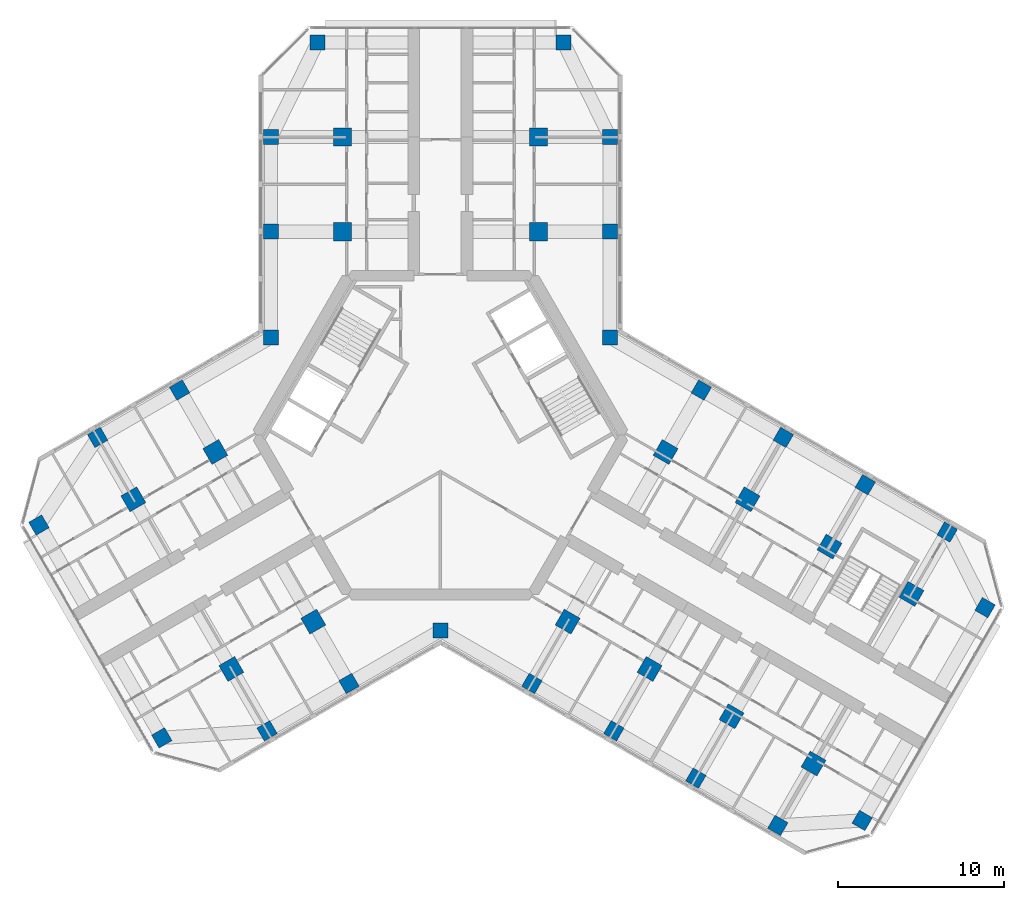
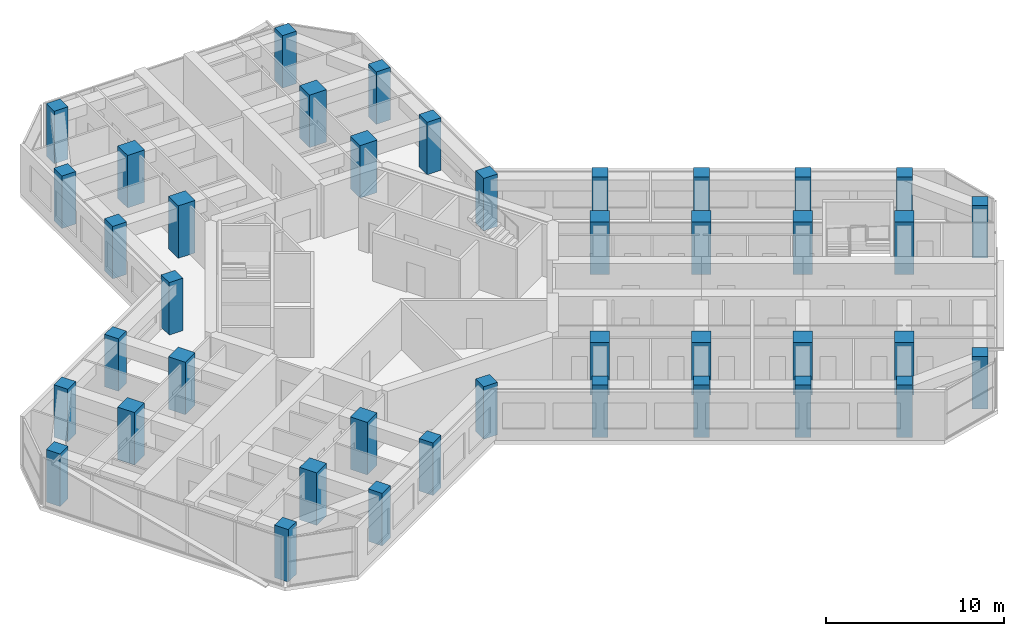
# One storey, part 1 of 16: 41 columns.
"""IFC4 building model written with IfcOpenShell, lengths in metres."""

from ifc_helpers import new_model, si_unit, direction, frame, origin, origin_2d, place, context, subcontext, project, spatial, rectangle, extrude, material, material_profile, profile_set, type_object, element, save


model = new_model("IFC4")

# Units and contexts
model_context = context("Model", 3, precision=1e-05, world=origin(), true_north=direction((0.0, 1.0)))
body_context = subcontext(model_context, "Body", "Model", "MODEL_VIEW")
ifc_project = project(units=[si_unit("LENGTHUNIT", "METRE"), si_unit("AREAUNIT", "SQUARE_METRE"), si_unit("VOLUMEUNIT", "CUBIC_METRE"), si_unit("PLANEANGLEUNIT", "RADIAN"), si_unit("MASSUNIT", "GRAM", prefix="KILO")], contexts=[model_context])

# Site, building, storey
site_placement = place(None, origin())
site = spatial("IfcSite", under=ifc_project, at=site_placement, CompositionType="ELEMENT")
building_placement = place(site_placement, origin())
building = spatial("IfcBuilding", under=site, at=building_placement, Name="Kosmar Iwan School Tower", CompositionType="ELEMENT")
storey_placement = place(building_placement, frame((0.0, 0.0, 211.800048828125)))
storey = spatial("IfcBuildingStorey", under=building, at=storey_placement, Name="L53", CompositionType="ELEMENT", Elevation=211.800048828125)

# Columns
ifc_material_1 = material(Name="Concrete C50/60", Category="concrete")
ifc_material_profile_1 = material_profile(ifc_material_1, rectangle(XDim=0.89990234375, YDim=0.89990234375, at=origin_2d()), Name="RC 900x900 + HD 400x347")
ifc_profile_set_1 = profile_set([ifc_material_profile_1], Name="Concrete C50/60")
column_type_1 = type_object("IfcColumnType", Name="Composite column 900x900 HD 400x347", PredefinedType="COLUMN", material=ifc_profile_set_1)
for number, where, z_axis, x_axis, name in (
    (1, (-10.199951171875, 12.25, 0.0), (0.0, 0.0, 1.0), (0.0, 1.0, 0.0), "Column AL1 L53"),
    (2, (-10.199951171875, 17.949951171875, 0.0), (0.0, 0.0, 1.0), (0.0, 1.0, 0.0), "Column AL2 L53"),
    (3, (-7.39990234375, 23.64990234375, 0.0), (0.0, 0.0, 1.0), (0.0, 1.0, 0.0), "Column ALTIP L53"),
    (4, (10.199951171875, 12.25, 0.0), (0.0, 0.0, 1.0), (0.0, 1.0, 0.0), "Column AR1 L53"),
    (5, (10.199951171875, 17.949951171875, 0.0), (0.0, 0.0, 1.0), (0.0, 1.0, 0.0), "Column AR2 L53"),
    (6, (7.39990234375, 23.64990234375, 0.0), (0.0, 0.0, 1.0), (0.0, 1.0, 0.0), "Column ARTIP L53"),
    (7, (-5.5087890625, -14.95849609375, 0.0), (0.0, 0.0, 1.0), (-0.866025403784, -0.5, 0.0), "Column BL1 L53"),
    (8, (-10.445068359375, -17.808349609375, 0.0), (0.0, 0.0, 1.0), (-0.866025403784, -0.5, 0.0), "Column BL2 L53"),
    (9, (-16.781494140625, -18.233642578125, 0.0), (0.0, 0.0, 1.0), (-0.866025403784, -0.5, 0.0), "Column BLTIP L53"),
    (10, (-15.708740234375, 2.70849609375, 0.0), (0.0, 0.0, 1.0), (-0.866025403784, -0.5, 0.0), "Column BR1 L53"),
    (11, (-20.645263671875, -0.1416015625, 0.0), (0.0, 0.0, 1.0), (-0.866025403784, -0.5, 0.0), "Column BR2 L53"),
    (12, (-24.181396484375, -5.41650390625, 0.0), (0.0, 0.0, 1.0), (-0.866025403784, -0.5, 0.0), "Column BRTIP L53"),
    (13, (15.708740234375, 2.70849609375, 0.0), (0.0, 0.0, 1.0), (0.866025403784, -0.5, 0.0), "Column CL1 L53"),
    (14, (20.645263671875, -0.1416015625, 0.0), (0.0, 0.0, 1.0), (0.866025403784, -0.5, 0.0), "Column CL2 L53"),
    (15, (25.58154296875, -2.991455078125, 0.0), (0.0, 0.0, 1.0), (0.866025403784, -0.5, 0.0), "Column CL3 L53"),
    (16, (30.517822265625, -5.841552734375, 0.0), (0.0, 0.0, 1.0), (0.866025403784, -0.5, 0.0), "Column CL4 L53"),
    (17, (32.79833984375, -10.391357421875, 0.0), (0.0, 0.0, 1.0), (0.866025403784, -0.5, 0.0), "Column CLTIP L53"),
    (18, (5.5087890625, -14.95849609375, 0.0), (0.0, 0.0, 1.0), (0.866025403784, -0.5, 0.0), "Column CR1 L53"),
    (19, (10.445068359375, -17.808349609375, 0.0), (0.0, 0.0, 1.0), (0.866025403784, -0.5, 0.0), "Column CR2 L53"),
    (20, (15.381591796875, -20.658447265625, 0.0), (0.0, 0.0, 1.0), (0.866025403784, -0.5, 0.0), "Column CR3 L53"),
    (21, (20.31787109375, -23.508544921875, 0.0), (0.0, 0.0, 1.0), (0.866025403784, -0.5, 0.0), "Column CR4 L53"),
    (22, (25.3984375, -23.20849609375, 0.0), (0.0, 0.0, 1.0), (0.866025403784, -0.5, 0.0), "Column CRTIP L53"),
    (23, (-10.199951171875, 5.888916015625, 0.0), (0.0, 0.0, 1.0), (1.0, 0.0, 0.0), "Column RAB L53"),
    (24, (10.199951171875, 5.888916015625, 0.0), (0.0, 0.0, 1.0), (1.0, 0.0, 0.0), "Column RAC L53"),
    (25, (0.0, -11.77783203125, 0.0), (0.0, 0.0, 1.0), (1.0, 0.0, 0.0), "Column RBC L53"),
):
    element("IfcColumn", number, at=place(storey_placement, frame(where, z_axis=z_axis, x_axis=x_axis)), inside=storey, type_object=column_type_1, Name=name, PredefinedType="COLUMN", context=body_context, shape_type="SweptSolid", body=[
        extrude(rectangle(XDim=0.89990234375, YDim=0.89990234375, at=origin_2d()), origin(), (0.0, 0.0, 1.0), 3.599853515625),
    ])
ifc_material_2 = material(Name="Concrete C50/60", Category="concrete")
ifc_material_profile_2 = material_profile(ifc_material_2, rectangle(XDim=1.10009765625, YDim=1.10009765625, at=origin_2d()), Name="RC 1100x1100")
ifc_profile_set_2 = profile_set([ifc_material_profile_2], Name="Concrete C50/60")
column_type_2 = type_object("IfcColumnType", Name="RC interior column 1100x1100", PredefinedType="COLUMN", material=ifc_profile_set_2)
for number, where, z_axis, x_axis, name in (
    (26, (-5.89990234375, 12.25, 0.0), (0.0, 0.0, 1.0), (0.0, 1.0, 0.0), "Interior column ALI1 L53"),
    (27, (-5.89990234375, 17.949951171875, 0.0), (0.0, 0.0, 1.0), (0.0, 1.0, 0.0), "Interior column ALI2 L53"),
    (28, (5.89990234375, 12.25, 0.0), (0.0, 0.0, 1.0), (0.0, 1.0, 0.0), "Interior column ARI1 L53"),
    (29, (5.89990234375, 17.949951171875, 0.0), (0.0, 0.0, 1.0), (0.0, 1.0, 0.0), "Interior column ARI2 L53"),
    (30, (-7.65869140625, -11.234619140625, 0.0), (0.0, 0.0, 1.0), (-0.866025403784, -0.5, 0.0), "Interior column BLI1 L53"),
    (31, (-12.59521484375, -14.08447265625, 0.0), (0.0, 0.0, 1.0), (-0.866025403784, -0.5, 0.0), "Interior column BLI2 L53"),
    (32, (-13.558837890625, -1.015380859375, 0.0), (0.0, 0.0, 1.0), (-0.866025403784, -0.5, 0.0), "Interior column BRI1 L53"),
    (33, (-18.4951171875, -3.865478515625, 0.0), (0.0, 0.0, 1.0), (-0.866025403784, -0.5, 0.0), "Interior column BRI2 L53"),
    (34, (13.558837890625, -1.015380859375, 0.0), (0.0, 0.0, 1.0), (0.866025403784, -0.5, 0.0), "Interior column CLI1 L53"),
    (35, (18.4951171875, -3.865478515625, 0.0), (0.0, 0.0, 1.0), (0.866025403784, -0.5, 0.0), "Interior column CLI2 L53"),
    (36, (23.431396484375, -6.71533203125, 0.0), (0.0, 0.0, 1.0), (0.866025403784, -0.5, 0.0), "Interior column CLI3 L53"),
    (37, (28.367919921875, -9.5654296875, 0.0), (0.0, 0.0, 1.0), (0.866025403784, -0.5, 0.0), "Interior column CLI4 L53"),
    (38, (7.65869140625, -11.234619140625, 0.0), (0.0, 0.0, 1.0), (0.866025403784, -0.5, 0.0), "Interior column CRI1 L53"),
    (39, (12.59521484375, -14.08447265625, 0.0), (0.0, 0.0, 1.0), (0.866025403784, -0.5, 0.0), "Interior column CRI2 L53"),
    (40, (17.531494140625, -16.9345703125, 0.0), (0.0, 0.0, 1.0), (0.866025403784, -0.5, 0.0), "Interior column CRI3 L53"),
    (41, (22.4677734375, -19.78466796875, 0.0), (0.0, 0.0, 1.0), (0.866025403784, -0.5, 0.0), "Interior column CRI4 L53"),
):
    element("IfcColumn", number, at=place(storey_placement, frame(where, z_axis=z_axis, x_axis=x_axis)), inside=storey, type_object=column_type_2, Name=name, PredefinedType="COLUMN", context=body_context, shape_type="SweptSolid", body=[
        extrude(rectangle(XDim=1.10009765625, YDim=1.10009765625, at=origin_2d()), origin(), (0.0, 0.0, 1.0), 3.599853515625),
    ])

save(model, "model.ifc")
